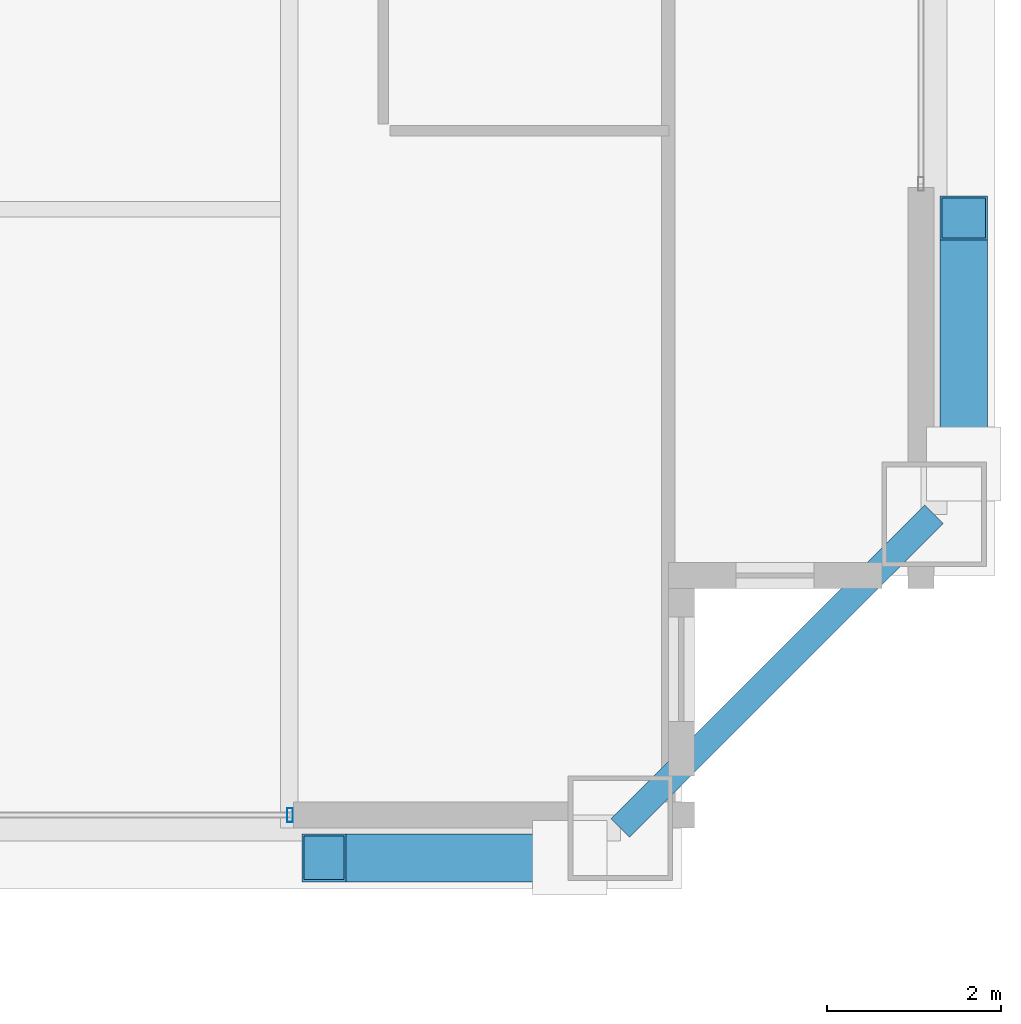
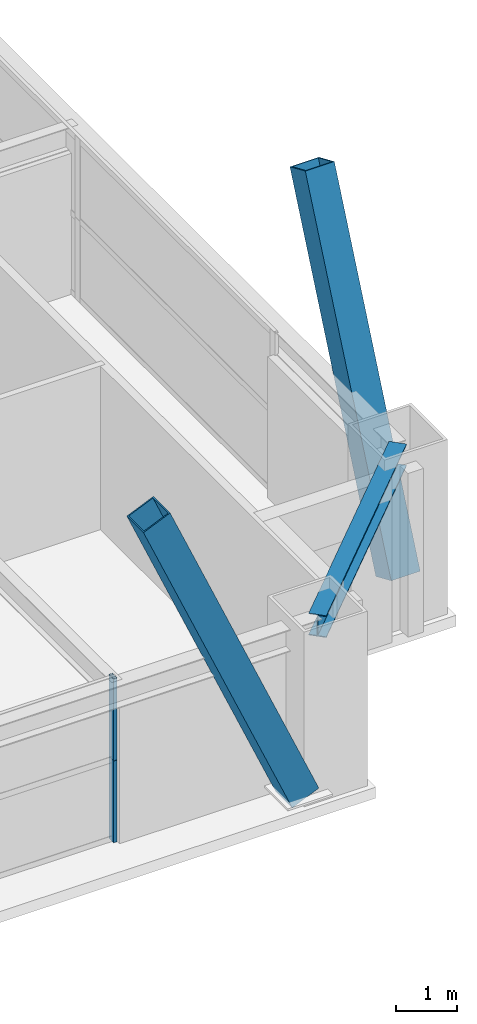
# One storey, part 12 of 33: 4 members, 1 beam, 1 element without a shape of its own.
"""IFC4 building model written with IfcOpenShell, lengths in metres."""

from ifc_helpers import new_model, si_unit, direction, frame, origin, origin_2d, place, context, subcontext, project, spatial, hollow_rectangle, i_section, extrude, source, transform, mapped, material, layer, layer_set, material_profile, profile_set, type_object, element, aggregate, save


model = new_model("IFC4")

# Units and contexts
model_context = context("Model", 3, precision=1e-05, world=origin(), true_north=direction((0.0, 1.0)))
body_context = subcontext(model_context, "Body", "Model", "MODEL_VIEW")
ifc_project = project(units=[si_unit("LENGTHUNIT", "METRE"), si_unit("AREAUNIT", "SQUARE_METRE"), si_unit("VOLUMEUNIT", "CUBIC_METRE"), si_unit("PLANEANGLEUNIT", "RADIAN"), si_unit("MASSUNIT", "GRAM", prefix="KILO"), si_unit("THERMODYNAMICTEMPERATUREUNIT", "KELVIN"), si_unit("POWERUNIT", "WATT")], contexts=[model_context])

# Site, building, storey
site_placement = place(None, origin())
site = spatial("IfcSite", under=ifc_project, at=site_placement, CompositionType="ELEMENT")
building_placement = place(site_placement, origin())
building = spatial("IfcBuilding", under=site, at=building_placement, Name="Yuzanri Waterfront Tower", CompositionType="ELEMENT")
storey_placement = place(building_placement, frame((0.0, 0.0, 234.60009765625)))
storey = spatial("IfcBuildingStorey", under=building, at=storey_placement, Name="L62", CompositionType="ELEMENT", Elevation=234.60009765625)

# Beam
ifc_material_1 = material(Name="Steel Q355B", Category="steel")
ifc_material_profile_1 = material_profile(ifc_material_1, i_section(OverallWidth=0.300048828125, OverallDepth=0.43994140625, WebThickness=0.010986328125, FlangeThickness=0.01806640625, at=origin_2d()), Name="HM 440x300x11x18")
ifc_profile_set_1 = profile_set([ifc_material_profile_1], Name="Steel Q355B")
beam_type = type_object("IfcBeamType", Name="Perimeter Spandrel Q355B HM 440x300", PredefinedType="SPANDREL", material=ifc_profile_set_1)
shared_shape_1 = source(origin(), body_context, "Body", "SweptSolid", [
    extrude(i_section(OverallWidth=0.300048828125, OverallDepth=0.43994140625, WebThickness=0.010986328125, FlangeThickness=0.01806640625, at=origin_2d()), origin(), (0.0, 0.0, 1.0), 5.09130859375),
])
beam_placement = place(storey_placement, frame((54.0, 5.199951171875, 3.059814453125), z_axis=(0.707106781187, 0.707106781187, 0.0), x_axis=(-0.707106781187, 0.707106781187, 0.0)))
element("IfcBeam", 1, at=beam_placement, inside=storey, type_object=beam_type, Name="L62 Perimeter Spandrel S3-E1", PredefinedType="SPANDREL", context=body_context, shape_type="MappedRepresentation", body=[
    mapped(shared_shape_1, transform((0.0, 0.0, 0.0), scale=1.0)),
])

# Members
ifc_material_2 = material(Name="Steel Q390GJC", Category="steel")
ifc_material_profile_2 = material_profile(ifc_material_2, hollow_rectangle(XDim=0.550048828125, YDim=0.550048828125, WallThickness=0.02490234375, at=origin_2d()), Name="RHS 550x550x25")
ifc_profile_set_2 = profile_set([ifc_material_profile_2], Name="Steel Q390GJC")
member_type_1 = type_object("IfcMemberType", Name="Mega Brace Mid Q390GJC RHS 550x550x25", PredefinedType="BRACE", material=ifc_profile_set_2)
shared_shape_2 = source(origin(), body_context, "Body", "SweptSolid", [
    extrude(hollow_rectangle(XDim=0.550048828125, YDim=0.550048828125, WallThickness=0.02490234375, at=origin_2d()), origin(), (0.0, 0.0, 1.0), 7.085205078125),
])
member_1_placement = place(storey_placement, frame((53.419921875, 4.860107421875, 0.179931640625), z_axis=(-0.397982599681, 0.0, 0.917392963975), x_axis=(0.0, -1.0, 0.0)))
element("IfcMember", 2, at=member_1_placement, inside=storey, type_object=member_type_1, Name="L62-L63 Perimeter Mega-Brace S-R", PredefinedType="BRACE", context=body_context, shape_type="MappedRepresentation", body=[
    mapped(shared_shape_2, transform((0.0, 0.0, 0.0), scale=1.0)),
])
shared_shape_3 = source(origin(), body_context, "Body", "SweptSolid", [
    extrude(hollow_rectangle(XDim=0.550048828125, YDim=0.550048828125, WallThickness=0.02490234375, at=origin_2d()), origin(), (0.0, 0.0, 1.0), 7.08544921875),
])
member_2_placement = place(storey_placement, frame((57.93994140625, 9.3798828125, 0.179931640625), z_axis=(0.0, 0.398011598745, 0.917380383082), x_axis=(-1.0, 0.0, 0.0)))
element("IfcMember", 3, at=member_2_placement, inside=storey, type_object=member_type_1, Name="L62-L63 Perimeter Mega-Brace E-L", PredefinedType="BRACE", context=body_context, shape_type="MappedRepresentation", body=[
    mapped(shared_shape_3, transform((0.0, 0.0, 0.0), scale=1.0)),
])

# Curtain wall, members
ifc_material_3 = material(Name="Anodized Architectural Bronze", Category="metal")
ifc_layer = layer(ifc_material_3, 0.159912109375)
ifc_layer_set = layer_set([ifc_layer], Name="Anodized Architectural Bronze")
curtain_wall_type = type_object("IfcCurtainWallType", Name="Anodized Bronze Mid-Rise Residential Acoustic Unitized Curtain Wall 7200", PredefinedType="NOTDEFINED", material=ifc_layer_set)
curtain_wall_placement = place(storey_placement, origin())
curtain_wall = element("IfcCurtainWall", 4, at=curtain_wall_placement, inside=storey, type_object=curtain_wall_type, Name="L62 Curtain Wall CW-L62-SR", PredefinedType="NOTDEFINED")
ifc_material_4 = material(Name="Anodized Architectural Bronze", Category="metal")
ifc_material_profile_3 = material_profile(ifc_material_4, hollow_rectangle(XDim=0.06494140625, YDim=0.159912109375, WallThickness=0.00341796875, at=origin_2d()), Name="CWM 65x160")
ifc_profile_set_3 = profile_set([ifc_material_profile_3], Name="Anodized Architectural Bronze")
member_type_2 = type_object("IfcMemberType", Name="Anodized Bronze Upper-Zone Curtain-Wall Mullion 65x160", PredefinedType="MULLION", material=ifc_profile_set_3)
shared_shape_4 = source(origin(), body_context, "Body", "SweptSolid", [
    extrude(hollow_rectangle(XDim=0.06494140625, YDim=0.159912109375, WallThickness=0.00341796875, at=origin_2d()), origin(), (0.0, 0.0, 1.0), 1.637939453125),
])
member_3_placement = place(storey_placement, frame((50.2099609375, 5.35009765625, 0.0), z_axis=(0.0, 0.0, 1.0), x_axis=(1.0, 0.0, 0.0)))
member_3 = element("IfcMember", 5, at=member_3_placement, type_object=member_type_2, Name="CW-L62-SR Lower Mullion 02", PredefinedType="MULLION", context=body_context, shape_type="MappedRepresentation", body=[
    mapped(shared_shape_4, transform((0.0, 0.0, 0.0), scale=1.0)),
])
member_4_placement = place(storey_placement, frame((50.2099609375, 5.35009765625, 1.641845703125), z_axis=(0.0, 0.0, 1.0), x_axis=(1.0, 0.0, 0.0)))
member_4 = element("IfcMember", 6, at=member_4_placement, type_object=member_type_2, Name="CW-L62-SR Upper Mullion 02", PredefinedType="MULLION", context=body_context, shape_type="MappedRepresentation", body=[
    mapped(shared_shape_4, transform((0.0, 0.0, 0.0), scale=1.0)),
])
aggregate(curtain_wall, [member_3, member_4])

save(model, "model.ifc")
